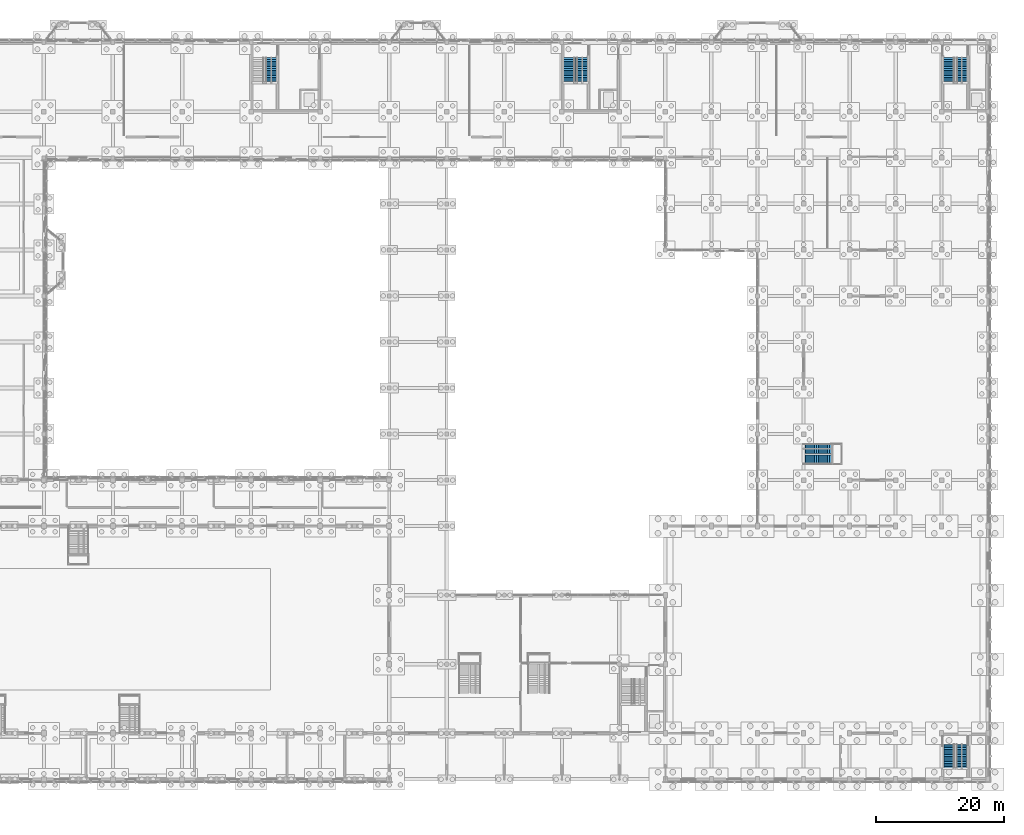
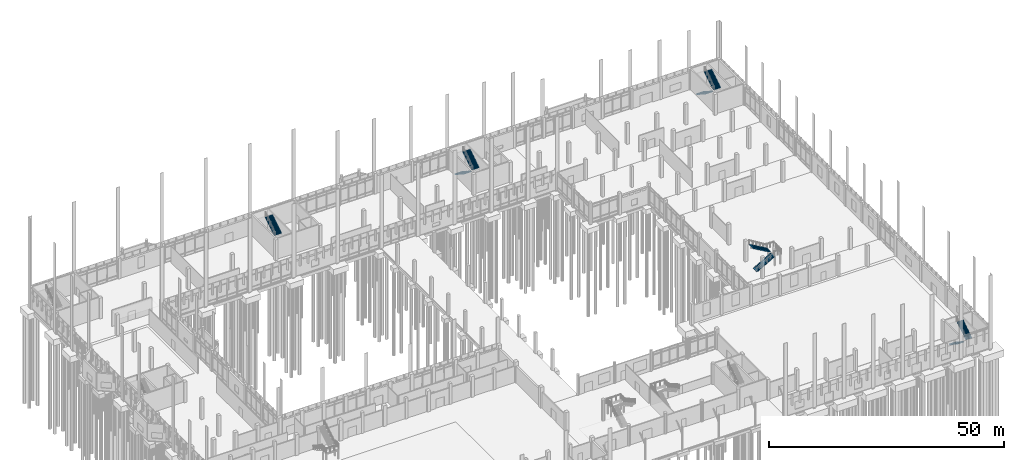
# One storey, part 93 of 109: 9 stair flights, 5 elements without a shape of their own.
"""IFC4 building model written with IfcOpenShell, lengths in metres."""

from ifc_helpers import new_model, si_unit, direction, frame, origin, place, context, subcontext, project, spatial, polyline, outline, extrude, material, type_object, element, aggregate, save


model = new_model("IFC4")

# Units and contexts
model_context = context("Model", 3, precision=1e-05, world=origin(), true_north=direction((0.0, 1.0)))
body_context = subcontext(model_context, "Body", "Model", "MODEL_VIEW")
ifc_project = project(units=[si_unit("LENGTHUNIT", "METRE"), si_unit("AREAUNIT", "SQUARE_METRE"), si_unit("VOLUMEUNIT", "CUBIC_METRE"), si_unit("PLANEANGLEUNIT", "RADIAN"), si_unit("MASSUNIT", "GRAM", prefix="KILO")], contexts=[model_context])

# Site, building, storey
site_placement = place(None, origin())
site = spatial("IfcSite", under=ifc_project, at=site_placement, CompositionType="ELEMENT")
building_placement = place(site_placement, origin())
building = spatial("IfcBuilding", under=site, at=building_placement, Name="Lusvemor Sports Hall", CompositionType="ELEMENT")
storey_placement = place(building_placement, origin())
storey = spatial("IfcBuildingStorey", under=building, at=storey_placement, Name="L00", CompositionType="ELEMENT", Elevation=0.0)

# Stair, stair flight
ifc_material_1 = material(Name="Concrete C40/50", Category="concrete")
stair_type_1 = type_object("IfcStairType", Name="STAIR_CORE_540", PredefinedType="HALF_TURN_STAIR", material=ifc_material_1)
stair_1_placement = place(storey_placement, origin())
stair_1 = element("IfcStair", 1, at=stair_1_placement, inside=storey, type_object=stair_type_1, Name="Escape Stair C2 (L00)", PredefinedType="HALF_TURN_STAIR")
ifc_material_2 = material(Name="Concrete C40/50", Category="concrete")
stair_flight_type_1 = type_object("IfcStairFlightType", Name="SFLT_CORE_15R", PredefinedType="STRAIGHT", material=ifc_material_2)
stair_flight_1_placement = place(storey_placement, frame((57.159912109375, 108.929931640625, 2.699951171875), z_axis=(0.0, 0.0, 1.0), x_axis=(0.0, 1.0, 0.0)))
stair_flight_1 = element("IfcStairFlight", 2, at=stair_flight_1_placement, type_object=stair_flight_type_1, Name="ST01 flight 2", NumberOfRisers=15, NumberOfTreads=14, PredefinedType="STRAIGHT", RiserHeight=0.18, TreadLength=0.28, context=body_context, shape_type="SweptSolid", body=[
    extrude(outline(polyline([(0.0, 0.0), (0.0, 0.179931640625), (0.280029296875, 0.179931640625), (0.280029296875, 0.360107421875), (0.56005859375, 0.360107421875), (0.56005859375, 0.5400390625), (0.840087890625, 0.5400390625), (0.840087890625, 0.719970703125), (1.1201171875, 0.719970703125), (1.1201171875, 0.89990234375), (1.39990234375, 0.89990234375), (1.39990234375, 1.080078125), (1.679931640625, 1.080078125), (1.679931640625, 1.260009765625), (1.9599609375, 1.260009765625), (1.9599609375, 1.43994140625), (2.239990234375, 1.43994140625), (2.239990234375, 1.6201171875), (2.52001953125, 1.6201171875), (2.52001953125, 1.800048828125), (2.800048828125, 1.800048828125), (2.800048828125, 1.97998046875), (3.080078125, 1.97998046875), (3.080078125, 2.159912109375), (3.360107421875, 2.159912109375), (3.360107421875, 2.340087890625), (3.639892578125, 2.340087890625), (3.639892578125, 2.52001953125), (3.919921875, 2.52001953125), (3.919921875, 2.699951171875), (3.919921875, 2.329833984375), (0.295654296875, 0.0), (0.0, 0.0)])), frame((0.0, 0.9599609375, 0.0), z_axis=(0.0, -1.0, 0.0), x_axis=(1.0, 0.0, 0.0)), (0.0, 0.0, 1.0), 1.919921875),
])
aggregate(stair_1, [stair_flight_1])

# Stair, stair flights
stair_2_placement = place(storey_placement, origin())
stair_2 = element("IfcStair", 3, at=stair_2_placement, inside=storey, type_object=stair_type_1, Name="Escape Stair C4 (L00)", PredefinedType="HALF_TURN_STAIR")
stair_flight_2_placement = place(storey_placement, frame((103.760009765625, 112.85009765625, 0.0), z_axis=(0.0, 0.0, 1.0), x_axis=(0.0, -1.0, 0.0)))
stair_flight_2 = element("IfcStairFlight", 4, at=stair_flight_2_placement, type_object=stair_flight_type_1, Name="ST01 flight 1", NumberOfRisers=15, NumberOfTreads=14, PredefinedType="STRAIGHT", RiserHeight=0.18, TreadLength=0.28, context=body_context, shape_type="SweptSolid", body=[
    extrude(outline(polyline([(0.0, 0.0), (0.0, 0.179931640625), (0.280029296875, 0.179931640625), (0.280029296875, 0.360107421875), (0.56005859375, 0.360107421875), (0.56005859375, 0.5400390625), (0.840087890625, 0.5400390625), (0.840087890625, 0.719970703125), (1.1201171875, 0.719970703125), (1.1201171875, 0.89990234375), (1.39990234375, 0.89990234375), (1.39990234375, 1.080078125), (1.679931640625, 1.080078125), (1.679931640625, 1.260009765625), (1.9599609375, 1.260009765625), (1.9599609375, 1.43994140625), (2.239990234375, 1.43994140625), (2.239990234375, 1.6201171875), (2.52001953125, 1.6201171875), (2.52001953125, 1.800048828125), (2.800048828125, 1.800048828125), (2.800048828125, 1.97998046875), (3.080078125, 1.97998046875), (3.080078125, 2.159912109375), (3.360107421875, 2.159912109375), (3.360107421875, 2.340087890625), (3.639892578125, 2.340087890625), (3.639892578125, 2.52001953125), (3.919921875, 2.52001953125), (3.919921875, 2.699951171875), (3.919921875, 2.329833984375), (0.295654296875, 0.0), (0.0, 0.0)])), frame((0.0, 0.9599609375, 0.0), z_axis=(0.0, -1.0, 0.0), x_axis=(1.0, 0.0, 0.0)), (0.0, 0.0, 1.0), 1.919921875),
])
stair_flight_3_placement = place(storey_placement, frame((105.760009765625, 108.929931640625, 2.699951171875), z_axis=(0.0, 0.0, 1.0), x_axis=(0.0, 1.0, 0.0)))
stair_flight_3 = element("IfcStairFlight", 5, at=stair_flight_3_placement, type_object=stair_flight_type_1, Name="ST01 flight 2", NumberOfRisers=15, NumberOfTreads=14, PredefinedType="STRAIGHT", RiserHeight=0.18, TreadLength=0.28, context=body_context, shape_type="SweptSolid", body=[
    extrude(outline(polyline([(0.0, 0.0), (0.0, 0.179931640625), (0.280029296875, 0.179931640625), (0.280029296875, 0.360107421875), (0.56005859375, 0.360107421875), (0.56005859375, 0.5400390625), (0.840087890625, 0.5400390625), (0.840087890625, 0.719970703125), (1.1201171875, 0.719970703125), (1.1201171875, 0.89990234375), (1.39990234375, 0.89990234375), (1.39990234375, 1.080078125), (1.679931640625, 1.080078125), (1.679931640625, 1.260009765625), (1.9599609375, 1.260009765625), (1.9599609375, 1.43994140625), (2.239990234375, 1.43994140625), (2.239990234375, 1.6201171875), (2.52001953125, 1.6201171875), (2.52001953125, 1.800048828125), (2.800048828125, 1.800048828125), (2.800048828125, 1.97998046875), (3.080078125, 1.97998046875), (3.080078125, 2.159912109375), (3.360107421875, 2.159912109375), (3.360107421875, 2.340087890625), (3.639892578125, 2.340087890625), (3.639892578125, 2.52001953125), (3.919921875, 2.52001953125), (3.919921875, 2.699951171875), (3.919921875, 2.329833984375), (0.295654296875, 0.0), (0.0, 0.0)])), frame((0.0, 0.9599609375, 0.0), z_axis=(0.0, -1.0, 0.0), x_axis=(1.0, 0.0, 0.0)), (0.0, 0.0, 1.0), 1.919921875),
])
aggregate(stair_2, [stair_flight_2, stair_flight_3])

stair_3_placement = place(storey_placement, origin())
stair_3 = element("IfcStair", 6, at=stair_3_placement, inside=storey, type_object=stair_type_1, Name="Escape Stair C5 (L00)", PredefinedType="HALF_TURN_STAIR")
stair_flight_4_placement = place(storey_placement, frame((163.159912109375, 112.85009765625, 0.0), z_axis=(0.0, 0.0, 1.0), x_axis=(0.0, -1.0, 0.0)))
stair_flight_4 = element("IfcStairFlight", 7, at=stair_flight_4_placement, type_object=stair_flight_type_1, Name="ST01 flight 1", NumberOfRisers=15, NumberOfTreads=14, PredefinedType="STRAIGHT", RiserHeight=0.18, TreadLength=0.28, context=body_context, shape_type="SweptSolid", body=[
    extrude(outline(polyline([(0.0, 0.0), (0.0, 0.179931640625), (0.280029296875, 0.179931640625), (0.280029296875, 0.360107421875), (0.56005859375, 0.360107421875), (0.56005859375, 0.5400390625), (0.840087890625, 0.5400390625), (0.840087890625, 0.719970703125), (1.1201171875, 0.719970703125), (1.1201171875, 0.89990234375), (1.39990234375, 0.89990234375), (1.39990234375, 1.080078125), (1.679931640625, 1.080078125), (1.679931640625, 1.260009765625), (1.9599609375, 1.260009765625), (1.9599609375, 1.43994140625), (2.239990234375, 1.43994140625), (2.239990234375, 1.6201171875), (2.52001953125, 1.6201171875), (2.52001953125, 1.800048828125), (2.800048828125, 1.800048828125), (2.800048828125, 1.97998046875), (3.080078125, 1.97998046875), (3.080078125, 2.159912109375), (3.360107421875, 2.159912109375), (3.360107421875, 2.340087890625), (3.639892578125, 2.340087890625), (3.639892578125, 2.52001953125), (3.919921875, 2.52001953125), (3.919921875, 2.699951171875), (3.919921875, 2.329833984375), (0.295654296875, 0.0), (0.0, 0.0)])), frame((0.0, 0.9599609375, 0.0), z_axis=(0.0, -1.0, 0.0), x_axis=(1.0, 0.0, 0.0)), (0.0, 0.0, 1.0), 1.919921875),
])
stair_flight_5_placement = place(storey_placement, frame((165.159912109375, 108.929931640625, 2.699951171875), z_axis=(0.0, 0.0, 1.0), x_axis=(0.0, 1.0, 0.0)))
stair_flight_5 = element("IfcStairFlight", 8, at=stair_flight_5_placement, type_object=stair_flight_type_1, Name="ST01 flight 2", NumberOfRisers=15, NumberOfTreads=14, PredefinedType="STRAIGHT", RiserHeight=0.18, TreadLength=0.28, context=body_context, shape_type="SweptSolid", body=[
    extrude(outline(polyline([(0.0, 0.0), (0.0, 0.179931640625), (0.280029296875, 0.179931640625), (0.280029296875, 0.360107421875), (0.56005859375, 0.360107421875), (0.56005859375, 0.5400390625), (0.840087890625, 0.5400390625), (0.840087890625, 0.719970703125), (1.1201171875, 0.719970703125), (1.1201171875, 0.89990234375), (1.39990234375, 0.89990234375), (1.39990234375, 1.080078125), (1.679931640625, 1.080078125), (1.679931640625, 1.260009765625), (1.9599609375, 1.260009765625), (1.9599609375, 1.43994140625), (2.239990234375, 1.43994140625), (2.239990234375, 1.6201171875), (2.52001953125, 1.6201171875), (2.52001953125, 1.800048828125), (2.800048828125, 1.800048828125), (2.800048828125, 1.97998046875), (3.080078125, 1.97998046875), (3.080078125, 2.159912109375), (3.360107421875, 2.159912109375), (3.360107421875, 2.340087890625), (3.639892578125, 2.340087890625), (3.639892578125, 2.52001953125), (3.919921875, 2.52001953125), (3.919921875, 2.699951171875), (3.919921875, 2.329833984375), (0.295654296875, 0.0), (0.0, 0.0)])), frame((0.0, 0.9599609375, 0.0), z_axis=(0.0, -1.0, 0.0), x_axis=(1.0, 0.0, 0.0)), (0.0, 0.0, 1.0), 1.919921875),
])
aggregate(stair_3, [stair_flight_4, stair_flight_5])

ifc_material_3 = material(Name="Concrete C40/50", Category="concrete")
stair_type_2 = type_object("IfcStairType", Name="STAIR_CORE_540_C", PredefinedType="HALF_TURN_STAIR", material=ifc_material_3)
stair_4_placement = place(storey_placement, origin())
stair_4 = element("IfcStair", 9, at=stair_4_placement, inside=storey, type_object=stair_type_2, Name="Escape Stair C8 (L00)", PredefinedType="HALF_TURN_STAIR")
ifc_material_4 = material(Name="Concrete C40/50", Category="concrete")
stair_flight_type_2 = type_object("IfcStairFlightType", Name="SFLT_CORE_15R_C", PredefinedType="STRAIGHT", material=ifc_material_4)
stair_flight_6_placement = place(storey_placement, frame((163.14990234375, 5.47998046875, 0.0), z_axis=(0.0, 0.0, 1.0), x_axis=(0.0, -1.0, 0.0)))
stair_flight_6 = element("IfcStairFlight", 10, at=stair_flight_6_placement, type_object=stair_flight_type_2, Name="ST05 flight 1", NumberOfRisers=15, NumberOfTreads=14, PredefinedType="STRAIGHT", RiserHeight=0.18, TreadLength=0.27, context=body_context, shape_type="SweptSolid", body=[
    extrude(outline(polyline([(0.0, 0.0), (0.0, 0.179931640625), (0.27001953125, 0.179931640625), (0.27001953125, 0.360107421875), (0.5400390625, 0.360107421875), (0.5400390625, 0.5400390625), (0.81005859375, 0.5400390625), (0.81005859375, 0.719970703125), (1.080078125, 0.719970703125), (1.080078125, 0.89990234375), (1.35009765625, 0.89990234375), (1.35009765625, 1.080078125), (1.6201171875, 1.080078125), (1.6201171875, 1.260009765625), (1.889892578125, 1.260009765625), (1.889892578125, 1.43994140625), (2.159912109375, 1.43994140625), (2.159912109375, 1.6201171875), (2.429931640625, 1.6201171875), (2.429931640625, 1.800048828125), (2.699951171875, 1.800048828125), (2.699951171875, 1.97998046875), (2.969970703125, 1.97998046875), (2.969970703125, 2.159912109375), (3.239990234375, 2.159912109375), (3.239990234375, 2.340087890625), (3.510009765625, 2.340087890625), (3.510009765625, 2.52001953125), (3.780029296875, 2.52001953125), (3.780029296875, 2.699951171875), (3.780029296875, 2.327880859375), (0.288330078125, 0.0), (0.0, 0.0)])), frame((0.0, 0.75, 0.0), z_axis=(0.0, -1.0, 0.0), x_axis=(1.0, 0.0, 0.0)), (0.0, 0.0, 1.0), 1.5),
])
stair_flight_7_placement = place(storey_placement, frame((165.14990234375, 1.699951171875, 2.699951171875), z_axis=(0.0, 0.0, 1.0), x_axis=(0.0, 1.0, 0.0)))
stair_flight_7 = element("IfcStairFlight", 11, at=stair_flight_7_placement, type_object=stair_flight_type_2, Name="ST05 flight 2", NumberOfRisers=15, NumberOfTreads=14, PredefinedType="STRAIGHT", RiserHeight=0.18, TreadLength=0.27, context=body_context, shape_type="SweptSolid", body=[
    extrude(outline(polyline([(0.0, 0.0), (0.0, 0.179931640625), (0.27001953125, 0.179931640625), (0.27001953125, 0.360107421875), (0.5400390625, 0.360107421875), (0.5400390625, 0.5400390625), (0.81005859375, 0.5400390625), (0.81005859375, 0.719970703125), (1.080078125, 0.719970703125), (1.080078125, 0.89990234375), (1.35009765625, 0.89990234375), (1.35009765625, 1.080078125), (1.6201171875, 1.080078125), (1.6201171875, 1.260009765625), (1.889892578125, 1.260009765625), (1.889892578125, 1.43994140625), (2.159912109375, 1.43994140625), (2.159912109375, 1.6201171875), (2.429931640625, 1.6201171875), (2.429931640625, 1.800048828125), (2.699951171875, 1.800048828125), (2.699951171875, 1.97998046875), (2.969970703125, 1.97998046875), (2.969970703125, 2.159912109375), (3.239990234375, 2.159912109375), (3.239990234375, 2.340087890625), (3.510009765625, 2.340087890625), (3.510009765625, 2.52001953125), (3.780029296875, 2.52001953125), (3.780029296875, 2.699951171875), (3.780029296875, 2.327880859375), (0.288330078125, 0.0), (0.0, 0.0)])), frame((0.0, 0.75, 0.0), z_axis=(0.0, -1.0, 0.0), x_axis=(1.0, 0.0, 0.0)), (0.0, 0.0, 1.0), 1.5),
])
aggregate(stair_4, [stair_flight_6, stair_flight_7])

ifc_material_5 = material(Name="Concrete C40/50", Category="concrete")
stair_type_3 = type_object("IfcStairType", Name="STAIR_GALLERY_540", PredefinedType="STRAIGHT_RUN_STAIR", material=ifc_material_5)
stair_5_placement = place(storey_placement, origin())
stair_5 = element("IfcStair", 12, at=stair_5_placement, inside=storey, type_object=stair_type_3, Name="Feature Stair STR-CLIMB-GAL", PredefinedType="STRAIGHT_RUN_STAIR")
ifc_material_6 = material(Name="Concrete C40/50", Category="concrete")
stair_flight_type_3 = type_object("IfcStairFlightType", Name="SFLT_GAL_16R", PredefinedType="STRAIGHT", material=ifc_material_6)
stair_flight_8_placement = place(storey_placement, frame((140.39990234375, 50.0, 0.0), z_axis=(0.0, 0.0, 1.0), x_axis=(1.0, 0.0, 0.0)))
stair_flight_8 = element("IfcStairFlight", 13, at=stair_flight_8_placement, type_object=stair_flight_type_3, Name="ST04 flight 1", NumberOfRisers=16, NumberOfTreads=15, PredefinedType="STRAIGHT", RiserHeight=0.16875, TreadLength=0.29, context=body_context, shape_type="SweptSolid", body=[
    extrude(outline(polyline([(0.0, 0.0), (0.0, 0.168701171875), (0.2900390625, 0.168701171875), (0.2900390625, 0.33740234375), (0.580078125, 0.33740234375), (0.580078125, 0.50634765625), (0.8701171875, 0.50634765625), (0.8701171875, 0.675048828125), (1.159912109375, 0.675048828125), (1.159912109375, 0.84375), (1.449951171875, 0.84375), (1.449951171875, 1.012451171875), (1.739990234375, 1.012451171875), (1.739990234375, 1.18115234375), (2.030029296875, 1.18115234375), (2.030029296875, 1.35009765625), (2.320068359375, 1.35009765625), (2.320068359375, 1.518798828125), (2.610107421875, 1.518798828125), (2.610107421875, 1.6875), (2.89990234375, 1.6875), (2.89990234375, 1.856201171875), (3.18994140625, 1.856201171875), (3.18994140625, 2.02490234375), (3.47998046875, 2.02490234375), (3.47998046875, 2.19384765625), (3.77001953125, 2.19384765625), (3.77001953125, 2.362548828125), (4.06005859375, 2.362548828125), (4.06005859375, 2.53125), (4.35009765625, 2.53125), (4.35009765625, 2.699951171875), (4.35009765625, 2.322998046875), (0.357666015625, 0.0), (0.0, 0.0)])), frame((0.0, 0.75, 0.0), z_axis=(0.0, -1.0, 0.0), x_axis=(1.0, 0.0, 0.0)), (0.0, 0.0, 1.0), 1.5),
])
stair_flight_9_placement = place(storey_placement, frame((144.75, 51.699951171875, 2.699951171875), z_axis=(0.0, 0.0, 1.0), x_axis=(-1.0, 0.0, 0.0)))
stair_flight_9 = element("IfcStairFlight", 14, at=stair_flight_9_placement, type_object=stair_flight_type_3, Name="ST04 flight 2", NumberOfRisers=16, NumberOfTreads=15, PredefinedType="STRAIGHT", RiserHeight=0.16875, TreadLength=0.29, context=body_context, shape_type="SweptSolid", body=[
    extrude(outline(polyline([(0.0, 0.0), (0.0, 0.168701171875), (0.2900390625, 0.168701171875), (0.2900390625, 0.33740234375), (0.580078125, 0.33740234375), (0.580078125, 0.50634765625), (0.8701171875, 0.50634765625), (0.8701171875, 0.675048828125), (1.159912109375, 0.675048828125), (1.159912109375, 0.84375), (1.449951171875, 0.84375), (1.449951171875, 1.012451171875), (1.739990234375, 1.012451171875), (1.739990234375, 1.18115234375), (2.030029296875, 1.18115234375), (2.030029296875, 1.35009765625), (2.320068359375, 1.35009765625), (2.320068359375, 1.518798828125), (2.610107421875, 1.518798828125), (2.610107421875, 1.6875), (2.89990234375, 1.6875), (2.89990234375, 1.856201171875), (3.18994140625, 1.856201171875), (3.18994140625, 2.02490234375), (3.47998046875, 2.02490234375), (3.47998046875, 2.19384765625), (3.77001953125, 2.19384765625), (3.77001953125, 2.362548828125), (4.06005859375, 2.362548828125), (4.06005859375, 2.53125), (4.35009765625, 2.53125), (4.35009765625, 2.699951171875), (4.35009765625, 2.322998046875), (0.357666015625, 0.0), (0.0, 0.0)])), frame((0.0, 0.75, 0.0), z_axis=(0.0, -1.0, 0.0), x_axis=(1.0, 0.0, 0.0)), (0.0, 0.0, 1.0), 1.5),
])
aggregate(stair_5, [stair_flight_8, stair_flight_9])

save(model, "model.ifc")
